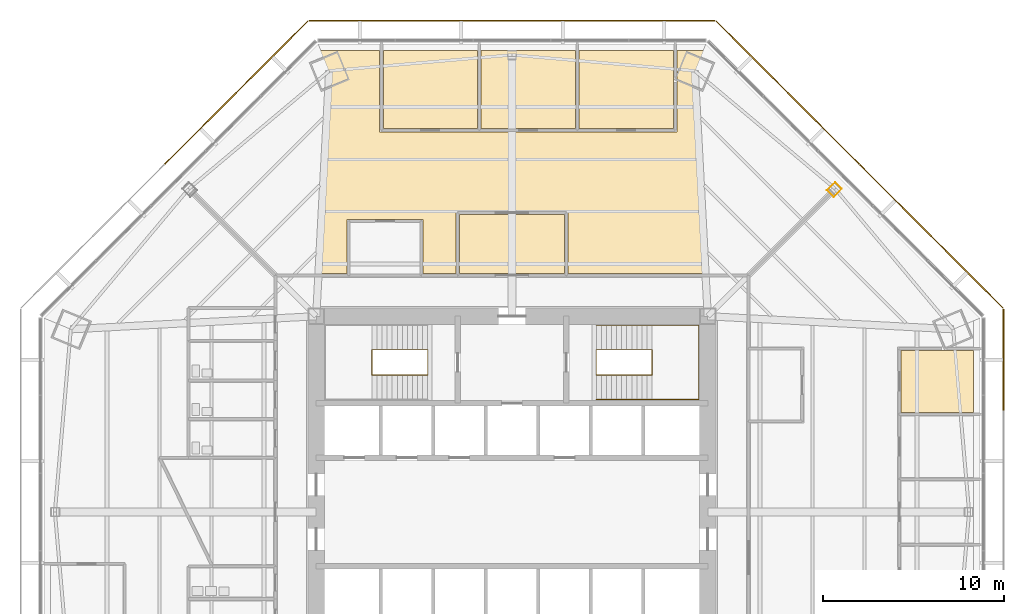
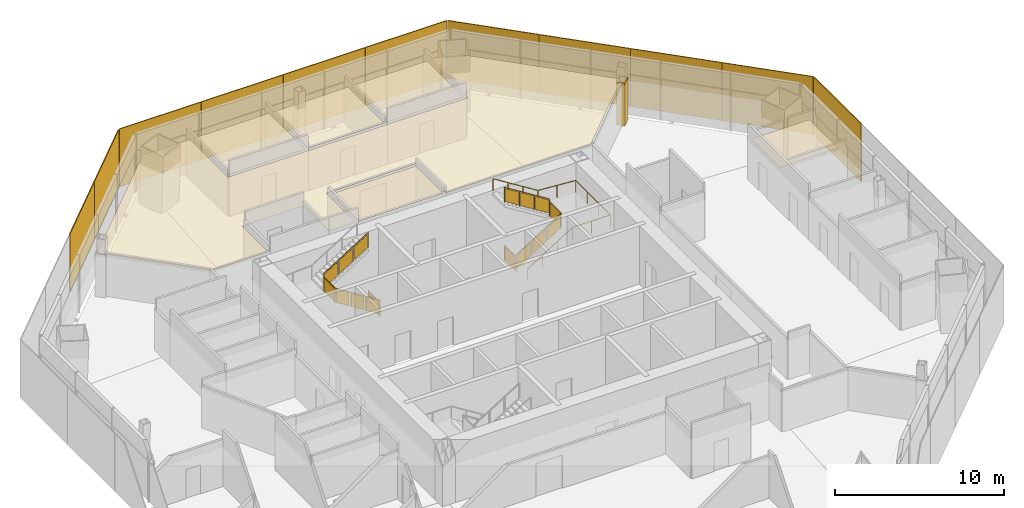
# One storey, part 14 of 15: 11 shading devices, 7 coverings, 3 railings.
"""IFC4 building model written with IfcOpenShell, lengths in metres."""

import ifcopenshell
import ifcopenshell.guid

model = None  # the IFC model being written
_history = None  # IfcOwnerHistory: only IFC2X3 demands one
_inside = {}  # id of a spatial element -> (the spatial element, [elements in it])
_under = {}  # id of a project, library or spatial element -> (it, [spatial elements below it])
_declared = {}  # id of a project -> (the project, [libraries it declares])
_typed = {}  # id of a type object -> (the type object, [elements of that type])
_made_of = {}  # id of a material, layer set ... -> (it, [elements and type objects made of it])


def new_model(schema):
    """Start an empty IFC model of exactly this schema.

    Asked for "IFC4X3", IfcOpenShell would pick the latest addendum, in which some entities
    have other attributes; the version numbers below select the first issue.
    IFC2X3 requires an IfcOwnerHistory on every rooted entity: one is made here for all.
    """
    global model, _history
    if schema == "IFC4X3":
        model = ifcopenshell.file(schema_version=(4, 3, 0, 0))
    else:
        model = ifcopenshell.file(schema=schema)
    _inside.clear()
    _under.clear()
    _declared.clear()
    _typed.clear()
    _made_of.clear()
    _history = None
    if model.schema == "IFC2X3":
        org = make("IfcOrganization", Name="unknown")
        user = make(
            "IfcPersonAndOrganization",
            ThePerson=make("IfcPerson", FamilyName="unknown"),
            TheOrganization=org,
        )
        app = make(
            "IfcApplication",
            ApplicationDeveloper=org,
            Version="unknown",
            ApplicationFullName="unknown",
            ApplicationIdentifier="unknown",
        )
        _history = make(
            "IfcOwnerHistory",
            OwningUser=user,
            OwningApplication=app,
            ChangeAction="ADDED",
            CreationDate=0,
        )
    return model


def make(cls, **values):
    """One entity of the class cls with the attributes given. An attribute that is None is left unset."""
    return model.create_entity(
        cls, **{name: value for name, value in values.items() if value is not None}
    )


def rooted(cls, **values):
    """An entity with a GlobalId (a new one), such as an element, a storey or a relation."""
    return make(cls, GlobalId=ifcopenshell.guid.new(), OwnerHistory=_history, **values)


def si_unit(unit_type, name, prefix=None):
    """IfcSIUnit, for example si_unit("LENGTHUNIT", "METRE", prefix="MILLI")."""
    return make("IfcSIUnit", UnitType=unit_type, Prefix=prefix, Name=name)


def assignment(units):
    """IfcUnitAssignment: the units of a project."""
    return None if units is None else make("IfcUnitAssignment", Units=units)


def point(xyz):
    """IfcCartesianPoint."""
    return None if xyz is None else make("IfcCartesianPoint", Coordinates=xyz)


def direction(xyz):
    """IfcDirection."""
    return None if xyz is None else make("IfcDirection", DirectionRatios=xyz)


def frame(location, z_axis=None, x_axis=None):
    """IfcAxis2Placement3D, a coordinate frame: its origin and axes. An axis left out is left unset."""
    return make(
        "IfcAxis2Placement3D",
        Location=point(location),
        Axis=direction(z_axis),
        RefDirection=direction(x_axis),
    )


def frame_2d(location, x_axis=None):
    """IfcAxis2Placement2D, a coordinate frame in the plane: its origin and x axis."""
    return make(
        "IfcAxis2Placement2D", Location=point(location), RefDirection=direction(x_axis)
    )


def origin():
    """The frame at (0, 0, 0) with its axes left unset."""
    return frame((0.0, 0.0, 0.0))


def origin_2d():
    """The frame at (0, 0) in the plane with its x axis left unset."""
    return frame_2d((0.0, 0.0))


def place(relative_to, where):
    """IfcLocalPlacement: puts the frame where relative to a parent placement (None: the world)."""
    return make(
        "IfcLocalPlacement", PlacementRelTo=relative_to, RelativePlacement=where
    )


def context(
    kind, dimensions, precision=None, world=None, true_north=None, identifier=None
):
    """IfcGeometricRepresentationContext, for example the 3D "Model" context."""
    return make(
        "IfcGeometricRepresentationContext",
        ContextIdentifier=identifier,
        ContextType=kind,
        CoordinateSpaceDimension=dimensions,
        Precision=precision,
        WorldCoordinateSystem=world,
        TrueNorth=true_north,
    )


def subcontext(parent, identifier, kind, view, scale=None):
    """IfcGeometricRepresentationSubContext, for example "Body" below "Model"."""
    return make(
        "IfcGeometricRepresentationSubContext",
        ContextIdentifier=identifier,
        ContextType=kind,
        ParentContext=parent,
        TargetScale=scale,
        TargetView=view,
    )


def project(units=None, contexts=None):
    """IfcProject with its units and contexts."""
    return rooted(
        "IfcProject",
        Name="project",
        RepresentationContexts=contexts,
        UnitsInContext=assignment(units),
    )


def spatial(cls, under=None, at=None, **own):
    """A site, building, storey or space (cls), placed at a placement, below another one or the project."""
    s = rooted(cls, ObjectPlacement=at, **own)
    if under is not None:
        _under.setdefault(under.id(), (under, []))[1].append(s)
    return s


def polyline(points):
    """IfcPolyline through the points."""
    return make("IfcPolyline", Points=[point(p) for p in points])


def profile(cls, at=None, kind="AREA", **sizes):
    """A parametric profile (cls). Its sizes go by their IFC names, for example OverallWidth=200.0."""
    return make(cls, ProfileType=kind, Position=at, **sizes)


def rectangle(**sizes):
    """IfcRectangleProfileDef."""
    return profile("IfcRectangleProfileDef", **sizes)


def circle(**sizes):
    """IfcCircleProfileDef."""
    return profile("IfcCircleProfileDef", **sizes)


def outline(outer, holes=None, kind="AREA"):
    """IfcArbitraryClosedProfileDef: a profile drawn as a closed curve; with holes, ...WithVoids."""
    if holes is None:
        return make("IfcArbitraryClosedProfileDef", ProfileType=kind, OuterCurve=outer)
    return make(
        "IfcArbitraryProfileDefWithVoids",
        ProfileType=kind,
        OuterCurve=outer,
        InnerCurves=holes,
    )


def extrude(swept, where, along, depth):
    """IfcExtrudedAreaSolid: the profile swept, set in the frame where, extruded along a direction by depth."""
    return make(
        "IfcExtrudedAreaSolid",
        SweptArea=swept,
        Position=where,
        ExtrudedDirection=direction(along),
        Depth=depth,
    )


def shape(context_of_items, identifier, shape_type, items):
    """IfcShapeRepresentation: the items that make up one representation, for example the "Body"."""
    return make(
        "IfcShapeRepresentation",
        ContextOfItems=context_of_items,
        RepresentationIdentifier=identifier,
        RepresentationType=shape_type,
        Items=items,
    )


def source(mapping_origin, context_of_items, identifier, shape_type, items):
    """IfcRepresentationMap: a shape defined once, which mapped items show again and again."""
    return make(
        "IfcRepresentationMap",
        MappingOrigin=mapping_origin,
        MappedRepresentation=shape(context_of_items, identifier, shape_type, items),
    )


def transform(
    local_origin,
    x_axis=None,
    y_axis=None,
    z_axis=None,
    scale=None,
    scale2=None,
    scale3=None,
    uniform=True,
):
    """IfcCartesianTransformationOperator3D, or its non-uniform kind. x_axis, y_axis, z_axis: its Axis1, 2, 3."""
    if uniform:
        return make(
            "IfcCartesianTransformationOperator3D",
            Axis1=direction(x_axis),
            Axis2=direction(y_axis),
            LocalOrigin=point(local_origin),
            Scale=scale,
            Axis3=direction(z_axis),
        )
    return make(
        "IfcCartesianTransformationOperator3DnonUniform",
        Axis1=direction(x_axis),
        Axis2=direction(y_axis),
        LocalOrigin=point(local_origin),
        Scale=scale,
        Axis3=direction(z_axis),
        Scale2=scale2,
        Scale3=scale3,
    )


def mapped(mapping_source, mapping_target):
    """IfcMappedItem: shows the shape of a source again, moved by a transform."""
    return make(
        "IfcMappedItem", MappingSource=mapping_source, MappingTarget=mapping_target
    )


def material(Name=None, Category=None):
    """IfcMaterial."""
    return make("IfcMaterial", Name=Name, Category=Category)


def layer(
    of_material, thickness, ventilated=None, Name=None, Category=None, Priority=None
):
    """IfcMaterialLayer: one layer of a wall or slab, of a material (None: an air gap)."""
    return make(
        "IfcMaterialLayer",
        Material=of_material,
        LayerThickness=thickness,
        IsVentilated=ventilated,
        Name=Name,
        Category=Category,
        Priority=Priority,
    )


def layer_set(layers, Name=None):
    """IfcMaterialLayerSet."""
    return make("IfcMaterialLayerSet", MaterialLayers=layers, LayerSetName=Name)


def made_of(thing, what):
    """Note that an element or type object is made of a material, layer set ...; save() writes the relation."""
    if what is not None:
        _made_of.setdefault(what.id(), (what, []))[1].append(thing)
    return thing


def type_object(cls, material=None, **own):
    """A type object (cls), such as IfcWallType, which elements share."""
    return made_of(rooted(cls, **own), material)


def type_shapes(of_type, sources):
    """Give a type object the sources (RepresentationMaps) that its elements show as mapped items."""
    of_type.RepresentationMaps = sources


def element(
    cls,
    number,
    at=None,
    inside=None,
    cuts=None,
    type_object=None,
    material=None,
    context=None,
    identifier="Body",
    shape_type=None,
    held_by="IfcProductDefinitionShape",
    body=None,
    shapes=None,
    **own,
):
    """One element of the class cls, such as IfcWall. Its Tag is "e" and its number.

    at: its placement. inside: the storey or other place that contains it. cuts: it is an
    opening in that element (IfcRelVoidsElement). A single representation is given by context,
    identifier, shape_type and body (its items); several are given by shapes. held_by: the class
    of the entity that holds the representations. save() writes the other relations.
    """
    e = rooted(cls, Tag="e%d" % number, ObjectPlacement=at, **own)
    if body is not None:
        shapes = [shape(context, identifier, shape_type, body)]
    if shapes is not None:
        e.Representation = make(held_by, Representations=shapes)
    if inside is not None:
        _inside.setdefault(inside.id(), (inside, []))[1].append(e)
    if cuts is not None:
        rooted(
            "IfcRelVoidsElement", RelatingBuildingElement=cuts, RelatedOpeningElement=e
        )
    if type_object is not None:
        _typed.setdefault(type_object.id(), (type_object, []))[1].append(e)
    return made_of(e, material)


def aggregate(whole, parts):
    """IfcRelAggregates: a whole, such as a stair, and the parts it consists of."""
    return rooted("IfcRelAggregates", RelatingObject=whole, RelatedObjects=parts)


def save(model, path):
    """Write the relations noted so far, then the file.

    IfcRelAggregates (storeys below a building ...), IfcRelContainedInSpatialStructure (elements
    in a storey), IfcRelDefinesByType, IfcRelAssociatesMaterial and IfcRelDeclares: one each for
    every whole, place, type object, material and project.
    """
    for whole, parts in _under.values():
        aggregate(whole, parts)
    for where, things in _inside.values():
        rooted(
            "IfcRelContainedInSpatialStructure",
            RelatedElements=things,
            RelatingStructure=where,
        )
    for kind, things in _typed.values():
        rooted("IfcRelDefinesByType", RelatedObjects=things, RelatingType=kind)
    for what, things in _made_of.values():
        rooted("IfcRelAssociatesMaterial", RelatedObjects=things, RelatingMaterial=what)
    for by, libraries in _declared.values():
        rooted("IfcRelDeclares", RelatingContext=by, RelatedDefinitions=libraries)
    model.write(path)


model = new_model("IFC4")

# Units and contexts
model_context = context("Model", 3, precision=1e-05, world=origin(), true_north=direction((0.0, 1.0)))
body_context = subcontext(model_context, "Body", "Model", "MODEL_VIEW")
ifc_project = project(units=[si_unit("LENGTHUNIT", "METRE"), si_unit("AREAUNIT", "SQUARE_METRE"), si_unit("VOLUMEUNIT", "CUBIC_METRE"), si_unit("PLANEANGLEUNIT", "RADIAN"), si_unit("MASSUNIT", "GRAM", prefix="KILO")], contexts=[model_context])

# Site, building, storey
site_placement = place(None, origin())
site = spatial("IfcSite", under=ifc_project, at=site_placement, CompositionType="ELEMENT")
building_placement = place(site_placement, origin())
building = spatial("IfcBuilding", under=site, at=building_placement, Name="Mashrafa Tower", CompositionType="ELEMENT")
storey_placement = place(building_placement, frame((0.0, 0.0, 70.800048828125)))
storey = spatial("IfcBuildingStorey", under=building, at=storey_placement, Name="L15", CompositionType="ELEMENT", Elevation=70.800048828125)

# Covering
ifc_material_1 = material(Name="Gypsum board")
ifc_layer_1 = layer(ifc_material_1, 0.014892578125)
ifc_layer_set_1 = layer_set([ifc_layer_1], Name="Column casing plasterboard 15")
covering_type_1 = type_object("IfcCoveringType", Name="Column casing plasterboard 15", PredefinedType="CLADDING", material=ifc_layer_set_1)
covering_1_placement = place(storey_placement, origin())
element("IfcCovering", 1, at=covering_1_placement, inside=storey, type_object=covering_type_1, Name="Column casing L15-001", PredefinedType="CLADDING", context=body_context, shape_type="SweptSolid", body=[
    extrude(outline(polyline([(17.36865234375, 17.743408203125), (17.82763671875, 18.202392578125), (18.202392578125, 17.82763671875), (17.743408203125, 17.36865234375), (17.36865234375, 17.743408203125)]), holes=[polyline([(18.18115234375, 17.82763671875), (17.82763671875, 18.18115234375), (17.389892578125, 17.743408203125), (17.743408203125, 17.389892578125), (18.18115234375, 17.82763671875)])]), origin(), (0.0, 0.0, 1.0), 3.113037109375),
])

# Railings
ifc_material_2 = material(Name="Steel guard with glass infill", Category="steel")
railing_type_1 = type_object("IfcRailingType", Name="Stair guard 1100", PredefinedType="GUARDRAIL", material=ifc_material_2)
railing_1_placement = place(storey_placement, frame((-4.64990234375, 8.949951171875, 0.0)))
element("IfcRailing", 2, at=railing_1_placement, inside=storey, type_object=railing_type_1, Name="Stair S1 guard L15", PredefinedType="GUARDRAIL", context=body_context, shape_type="SweptSolid", body=[
    extrude(circle(Radius=0.02392578125, at=origin_2d()), frame((0.0, 0.0, 1.076171875), z_axis=(0.0, -1.0, 0.0), x_axis=(1.0, 0.0, 0.0)), (0.0, 0.0, 1.0), 1.39990234375),
    extrude(circle(Radius=0.02392578125, at=origin_2d()), frame((0.0, -1.39990234375, 1.076171875), z_axis=(0.0, 0.0, 1.0), x_axis=(1.0, 0.0, 0.0)), (0.0, 0.0, 1.0), 0.175048828125),
    extrude(circle(Radius=0.02392578125, at=origin_2d()), frame((0.0, -1.39990234375, 1.2509765625), z_axis=(-0.848028513186, 0.0, 0.529950602248), x_axis=(0.0, -1.0, 0.0)), (0.0, 0.0, 1.0), 3.632080078125),
    extrude(circle(Radius=0.02392578125, at=origin_2d()), frame((-3.080078125, -1.39990234375, 3.17578125), z_axis=(0.0, 1.0, 0.0), x_axis=(-1.0, 0.0, 0.0)), (0.0, 0.0, 1.0), 1.39990234375),
    extrude(circle(Radius=0.02392578125, at=origin_2d()), frame((-3.080078125, 0.0, 3.17578125), z_axis=(0.0, 0.0, 1.0), x_axis=(1.0, 0.0, 0.0)), (0.0, 0.0, 1.0), 0.175048828125),
    extrude(circle(Radius=0.02392578125, at=origin_2d()), frame((-3.080078125, 0.0, 3.35107421875), z_axis=(0.847998304005, 0.0, 0.529998940003), x_axis=(0.0, 1.0, 0.0)), (0.0, 0.0, 1.0), 3.632080078125),
    extrude(circle(Radius=0.02099609375, at=origin_2d()), origin(), (0.0, 0.0, 1.0), 1.052001953125),
    extrude(circle(Radius=0.02099609375, at=origin_2d()), frame((0.0, -1.39990234375, 0.0)), (0.0, 0.0, 1.0), 1.052001953125),
    extrude(circle(Radius=0.02099609375, at=origin_2d()), frame((0.0, -1.39990234375, 0.175048828125)), (0.0, 0.0, 1.0), 1.052001953125),
    extrude(circle(Radius=0.02099609375, at=origin_2d()), frame((-1.026611328125, -1.39990234375, 0.816650390625)), (0.0, 0.0, 1.0), 1.052001953125),
    extrude(circle(Radius=0.02099609375, at=origin_2d()), frame((-2.053466796875, -1.39990234375, 1.458251953125)), (0.0, 0.0, 1.0), 1.052001953125),
    extrude(circle(Radius=0.02099609375, at=origin_2d()), frame((-3.080078125, -1.39990234375, 2.099853515625)), (0.0, 0.0, 1.0), 1.052001953125),
    extrude(circle(Radius=0.02099609375, at=origin_2d()), frame((-3.080078125, 0.0, 2.099853515625)), (0.0, 0.0, 1.0), 1.052001953125),
    extrude(circle(Radius=0.02099609375, at=origin_2d()), frame((-3.080078125, 0.0, 2.27490234375)), (0.0, 0.0, 1.0), 1.052001953125),
    extrude(circle(Radius=0.02099609375, at=origin_2d()), frame((-2.053466796875, 0.0, 2.91650390625)), (0.0, 0.0, 1.0), 1.052001953125),
    extrude(circle(Radius=0.02099609375, at=origin_2d()), frame((-1.026611328125, 0.0, 3.558349609375)), (0.0, 0.0, 1.0), 1.052001953125),
    extrude(circle(Radius=0.02099609375, at=origin_2d()), frame((0.0, 0.0, 4.199951171875)), (0.0, 0.0, 1.0), 1.052001953125),
    extrude(outline(polyline([(0.071044921875, 0.050048828125), (1.328857421875, 0.050048828125), (1.328857421875, 1.001953125), (0.071044921875, 1.001953125), (0.071044921875, 0.050048828125)])), frame((-0.006103515625, 0.0, 0.0), z_axis=(-1.0, 0.0, 0.0), x_axis=(0.0, -1.0, 0.0)), (0.0, 0.0, 1.0), 0.011962890625),
    extrude(outline(polyline([(0.071044921875, 0.094482421875), (0.955810546875, 0.647216796875), (0.955810546875, 1.59912109375), (0.071044921875, 1.04638671875), (0.071044921875, 0.094482421875)])), frame((0.0, -1.393798828125, 0.175048828125), z_axis=(0.0, 1.0, 0.0), x_axis=(-1.0, 0.0, 0.0)), (0.0, 0.0, 1.0), 0.011962890625),
    extrude(outline(polyline([(1.09765625, 0.736083984375), (1.982421875, 1.288818359375), (1.982421875, 2.24072265625), (1.09765625, 1.68798828125), (1.09765625, 0.736083984375)])), frame((0.0, -1.393798828125, 0.175048828125), z_axis=(0.0, 1.0, 0.0), x_axis=(-1.0, 0.0, 0.0)), (0.0, 0.0, 1.0), 0.011962890625),
    extrude(outline(polyline([(2.124267578125, 1.377685546875), (3.009033203125, 1.930419921875), (3.009033203125, 2.88232421875), (2.124267578125, 2.32958984375), (2.124267578125, 1.377685546875)])), frame((0.0, -1.393798828125, 0.175048828125), z_axis=(0.0, 1.0, 0.0), x_axis=(-1.0, 0.0, 0.0)), (0.0, 0.0, 1.0), 0.011962890625),
    extrude(outline(polyline([(0.071044921875, 0.050048828125), (1.328857421875, 0.050048828125), (1.328857421875, 1.001953125), (0.071044921875, 1.001953125), (0.071044921875, 0.050048828125)])), frame((-3.073974609375, -1.39990234375, 2.099853515625), z_axis=(1.0, 0.0, 0.0), x_axis=(0.0, 1.0, 0.0)), (0.0, 0.0, 1.0), 0.011962890625),
    extrude(outline(polyline([(0.071044921875, 0.094482421875), (0.955810546875, 0.647216796875), (0.955810546875, 1.599365234375), (0.071044921875, 1.04638671875), (0.071044921875, 0.094482421875)])), frame((-3.080078125, -0.006103515625, 2.27490234375), z_axis=(0.0, -1.0, 0.0), x_axis=(1.0, 0.0, 0.0)), (0.0, 0.0, 1.0), 0.011962890625),
    extrude(outline(polyline([(1.09765625, 0.736083984375), (1.982421875, 1.2890625), (1.982421875, 2.240966796875), (1.09765625, 1.68798828125), (1.09765625, 0.736083984375)])), frame((-3.080078125, -0.006103515625, 2.27490234375), z_axis=(0.0, -1.0, 0.0), x_axis=(1.0, 0.0, 0.0)), (0.0, 0.0, 1.0), 0.011962890625),
    extrude(outline(polyline([(2.124267578125, 1.377685546875), (3.009033203125, 1.9306640625), (3.009033203125, 2.882568359375), (2.124267578125, 2.329833984375), (2.124267578125, 1.377685546875)])), frame((-3.080078125, -0.006103515625, 2.27490234375), z_axis=(0.0, -1.0, 0.0), x_axis=(1.0, 0.0, 0.0)), (0.0, 0.0, 1.0), 0.011962890625),
])
railing_2_placement = place(storey_placement, frame((4.64990234375, 8.949951171875, 0.0)))
element("IfcRailing", 3, at=railing_2_placement, inside=storey, type_object=railing_type_1, Name="Stair S2 guard L15", PredefinedType="GUARDRAIL", context=body_context, shape_type="SweptSolid", body=[
    extrude(circle(Radius=0.02392578125, at=origin_2d()), frame((0.0, 0.0, 1.076171875), z_axis=(0.0, -1.0, 0.0), x_axis=(1.0, 0.0, 0.0)), (0.0, 0.0, 1.0), 1.39990234375),
    extrude(circle(Radius=0.02392578125, at=origin_2d()), frame((0.0, -1.39990234375, 1.076171875), z_axis=(0.0, 0.0, 1.0), x_axis=(1.0, 0.0, 0.0)), (0.0, 0.0, 1.0), 0.175048828125),
    extrude(circle(Radius=0.02392578125, at=origin_2d()), frame((0.0, -1.39990234375, 1.2509765625), z_axis=(0.848028513186, 0.0, 0.529950602248), x_axis=(0.0, 1.0, 0.0)), (0.0, 0.0, 1.0), 3.632080078125),
    extrude(circle(Radius=0.02392578125, at=origin_2d()), frame((3.080078125, -1.39990234375, 3.17578125), z_axis=(0.0, 1.0, 0.0), x_axis=(-1.0, 0.0, 0.0)), (0.0, 0.0, 1.0), 1.39990234375),
    extrude(circle(Radius=0.02392578125, at=origin_2d()), frame((3.080078125, 0.0, 3.17578125), z_axis=(0.0, 0.0, 1.0), x_axis=(1.0, 0.0, 0.0)), (0.0, 0.0, 1.0), 0.175048828125),
    extrude(circle(Radius=0.02392578125, at=origin_2d()), frame((3.080078125, 0.0, 3.35107421875), z_axis=(-0.847998304005, 0.0, 0.529998940003), x_axis=(0.0, -1.0, 0.0)), (0.0, 0.0, 1.0), 3.632080078125),
    extrude(circle(Radius=0.02099609375, at=origin_2d()), origin(), (0.0, 0.0, 1.0), 1.052001953125),
    extrude(circle(Radius=0.02099609375, at=origin_2d()), frame((0.0, -1.39990234375, 0.0)), (0.0, 0.0, 1.0), 1.052001953125),
    extrude(circle(Radius=0.02099609375, at=origin_2d()), frame((0.0, -1.39990234375, 0.175048828125)), (0.0, 0.0, 1.0), 1.052001953125),
    extrude(circle(Radius=0.02099609375, at=origin_2d()), frame((1.026611328125, -1.39990234375, 0.816650390625)), (0.0, 0.0, 1.0), 1.052001953125),
    extrude(circle(Radius=0.02099609375, at=origin_2d()), frame((2.053466796875, -1.39990234375, 1.458251953125)), (0.0, 0.0, 1.0), 1.052001953125),
    extrude(circle(Radius=0.02099609375, at=origin_2d()), frame((3.080078125, -1.39990234375, 2.099853515625)), (0.0, 0.0, 1.0), 1.052001953125),
    extrude(circle(Radius=0.02099609375, at=origin_2d()), frame((3.080078125, 0.0, 2.099853515625)), (0.0, 0.0, 1.0), 1.052001953125),
    extrude(circle(Radius=0.02099609375, at=origin_2d()), frame((3.080078125, 0.0, 2.27490234375)), (0.0, 0.0, 1.0), 1.052001953125),
    extrude(circle(Radius=0.02099609375, at=origin_2d()), frame((2.053466796875, 0.0, 2.91650390625)), (0.0, 0.0, 1.0), 1.052001953125),
    extrude(circle(Radius=0.02099609375, at=origin_2d()), frame((1.026611328125, 0.0, 3.558349609375)), (0.0, 0.0, 1.0), 1.052001953125),
    extrude(circle(Radius=0.02099609375, at=origin_2d()), frame((0.0, 0.0, 4.199951171875)), (0.0, 0.0, 1.0), 1.052001953125),
    extrude(outline(polyline([(0.071044921875, 0.050048828125), (1.328857421875, 0.050048828125), (1.328857421875, 1.001953125), (0.071044921875, 1.001953125), (0.071044921875, 0.050048828125)])), frame((-0.006103515625, 0.0, 0.0), z_axis=(-1.0, 0.0, 0.0), x_axis=(0.0, -1.0, 0.0)), (0.0, 0.0, 1.0), 0.011962890625),
    extrude(outline(polyline([(0.071044921875, 0.094482421875), (0.955810546875, 0.647216796875), (0.955810546875, 1.59912109375), (0.071044921875, 1.04638671875), (0.071044921875, 0.094482421875)])), frame((0.0, -1.406005859375, 0.175048828125), z_axis=(0.0, -1.0, 0.0), x_axis=(1.0, 0.0, 0.0)), (0.0, 0.0, 1.0), 0.011962890625),
    extrude(outline(polyline([(1.09765625, 0.736083984375), (1.982421875, 1.288818359375), (1.982421875, 2.24072265625), (1.09765625, 1.68798828125), (1.09765625, 0.736083984375)])), frame((0.0, -1.406005859375, 0.175048828125), z_axis=(0.0, -1.0, 0.0), x_axis=(1.0, 0.0, 0.0)), (0.0, 0.0, 1.0), 0.011962890625),
    extrude(outline(polyline([(2.124267578125, 1.377685546875), (3.009033203125, 1.930419921875), (3.009033203125, 2.88232421875), (2.124267578125, 2.32958984375), (2.124267578125, 1.377685546875)])), frame((0.0, -1.406005859375, 0.175048828125), z_axis=(0.0, -1.0, 0.0), x_axis=(1.0, 0.0, 0.0)), (0.0, 0.0, 1.0), 0.011962890625),
    extrude(outline(polyline([(0.071044921875, 0.050048828125), (1.328857421875, 0.050048828125), (1.328857421875, 1.001953125), (0.071044921875, 1.001953125), (0.071044921875, 0.050048828125)])), frame((3.086181640625, -1.39990234375, 2.099853515625), z_axis=(1.0, 0.0, 0.0), x_axis=(0.0, 1.0, 0.0)), (0.0, 0.0, 1.0), 0.011962890625),
    extrude(outline(polyline([(0.071044921875, 0.094482421875), (0.955810546875, 0.647216796875), (0.955810546875, 1.599365234375), (0.071044921875, 1.04638671875), (0.071044921875, 0.094482421875)])), frame((3.080078125, 0.006103515625, 2.27490234375), z_axis=(0.0, 1.0, 0.0), x_axis=(-1.0, 0.0, 0.0)), (0.0, 0.0, 1.0), 0.011962890625),
    extrude(outline(polyline([(1.09765625, 0.736083984375), (1.982421875, 1.2890625), (1.982421875, 2.240966796875), (1.09765625, 1.68798828125), (1.09765625, 0.736083984375)])), frame((3.080078125, 0.006103515625, 2.27490234375), z_axis=(0.0, 1.0, 0.0), x_axis=(-1.0, 0.0, 0.0)), (0.0, 0.0, 1.0), 0.011962890625),
    extrude(outline(polyline([(2.124267578125, 1.377685546875), (3.009033203125, 1.9306640625), (3.009033203125, 2.882568359375), (2.124267578125, 2.329833984375), (2.124267578125, 1.377685546875)])), frame((3.080078125, 0.006103515625, 2.27490234375), z_axis=(0.0, 1.0, 0.0), x_axis=(-1.0, 0.0, 0.0)), (0.0, 0.0, 1.0), 0.011962890625),
])
ifc_material_3 = material(Name="Steel", Category="steel")
railing_type_2 = type_object("IfcRailingType", Name="Stair handrail 900", PredefinedType="HANDRAIL", material=ifc_material_3)
railing_3_placement = place(storey_placement, frame((4.64990234375, 6.199951171875, 0.175048828125)))
element("IfcRailing", 4, at=railing_3_placement, inside=storey, type_object=railing_type_2, Name="Stair S2 handrail L15", PredefinedType="HANDRAIL", context=body_context, shape_type="SweptSolid", body=[
    extrude(circle(Radius=0.02392578125, at=origin_2d()), frame((0.0, 0.0, 0.8759765625), z_axis=(0.848028513186, 0.0, 0.529950602248), x_axis=(0.0, 1.0, 0.0)), (0.0, 0.0, 1.0), 3.632080078125),
    extrude(circle(Radius=0.02392578125, at=origin_2d()), frame((3.080078125, 0.0, 2.80078125), z_axis=(1.0, 0.0, 0.0), x_axis=(0.0, 1.0, 0.0)), (0.0, 0.0, 1.0), 2.570068359375),
    extrude(circle(Radius=0.02392578125, at=origin_2d()), frame((5.650146484375, 0.0, 2.80078125), z_axis=(0.0, 1.0, 0.0), x_axis=(-1.0, 0.0, 0.0)), (0.0, 0.0, 1.0), 4.10009765625),
    extrude(circle(Radius=0.02392578125, at=origin_2d()), frame((5.650146484375, 4.10009765625, 2.80078125), z_axis=(-0.997688514158, 0.0, 0.067953136188), x_axis=(0.0, -1.0, 0.0)), (0.0, 0.0, 1.0), 2.575927734375),
    extrude(circle(Radius=0.02392578125, at=origin_2d()), frame((3.080078125, 4.10009765625, 2.9755859375), z_axis=(-0.847998304005, 0.0, 0.529998940003), x_axis=(0.0, -1.0, 0.0)), (0.0, 0.0, 1.0), 3.632080078125),
    extrude(circle(Radius=0.02099609375, at=origin_2d()), origin(), (0.0, 0.0, 1.0), 0.851806640625),
    extrude(circle(Radius=0.02099609375, at=origin_2d()), frame((1.026611328125, 0.0, 0.6416015625)), (0.0, 0.0, 1.0), 0.851806640625),
    extrude(circle(Radius=0.02099609375, at=origin_2d()), frame((2.053466796875, 0.0, 1.283203125)), (0.0, 0.0, 1.0), 0.851806640625),
    extrude(circle(Radius=0.02099609375, at=origin_2d()), frame((3.080078125, 0.0, 1.9248046875)), (0.0, 0.0, 1.0), 0.851806640625),
    extrude(circle(Radius=0.02099609375, at=origin_2d()), frame((4.365234375, 0.0, 1.9248046875)), (0.0, 0.0, 1.0), 0.851806640625),
    extrude(circle(Radius=0.02099609375, at=origin_2d()), frame((5.650146484375, 0.0, 1.9248046875)), (0.0, 0.0, 1.0), 0.851806640625),
    extrude(circle(Radius=0.02099609375, at=origin_2d()), frame((5.650146484375, 1.36669921875, 1.9248046875)), (0.0, 0.0, 1.0), 0.851806640625),
    extrude(circle(Radius=0.02099609375, at=origin_2d()), frame((5.650146484375, 2.7333984375, 1.9248046875)), (0.0, 0.0, 1.0), 0.851806640625),
    extrude(circle(Radius=0.02099609375, at=origin_2d()), frame((5.650146484375, 4.10009765625, 1.9248046875)), (0.0, 0.0, 1.0), 0.851806640625),
    extrude(circle(Radius=0.02099609375, at=origin_2d()), frame((4.365234375, 4.10009765625, 2.01220703125)), (0.0, 0.0, 1.0), 0.851806640625),
    extrude(circle(Radius=0.02099609375, at=origin_2d()), frame((3.080078125, 4.10009765625, 2.099853515625)), (0.0, 0.0, 1.0), 0.851806640625),
    extrude(circle(Radius=0.02099609375, at=origin_2d()), frame((2.053466796875, 4.10009765625, 2.741455078125)), (0.0, 0.0, 1.0), 0.851806640625),
    extrude(circle(Radius=0.02099609375, at=origin_2d()), frame((1.026611328125, 4.10009765625, 3.38330078125)), (0.0, 0.0, 1.0), 0.851806640625),
    extrude(circle(Radius=0.02099609375, at=origin_2d()), frame((0.0, 4.10009765625, 4.02490234375)), (0.0, 0.0, 1.0), 0.851806640625),
])

# Coverings
ifc_material_4 = material(Name="Mineral fibre tile on suspension grid")
ifc_layer_2 = layer(ifc_material_4, 0.014892578125)
ifc_layer_set_2 = layer_set([ifc_layer_2], Name="Suspended ceiling mineral tile 15")
covering_type_2 = type_object("IfcCoveringType", Name="Suspended ceiling mineral tile 15", PredefinedType="CEILING", material=ifc_layer_set_2)
covering_2_placement = place(storey_placement, frame((0.0, 0.0, 2.89990234375)))
element("IfcCovering", 5, at=covering_2_placement, inside=storey, type_object=covering_type_2, Name="Ceiling Reception 15-N", PredefinedType="CEILING", context=body_context, shape_type="SweptSolid", body=[
    extrude(outline(polyline([(-2.89990234375, 16.39990234375), (2.89990234375, 16.39990234375), (2.89990234375, 13.14990234375), (-2.89990234375, 13.14990234375), (-2.89990234375, 16.39990234375)])), origin(), (0.0, 0.0, 1.0), 0.01513671875),
])
covering_3_placement = place(storey_placement, frame((0.0, 0.0, 2.89990234375)))
element("IfcCovering", 6, at=covering_3_placement, inside=storey, type_object=covering_type_2, Name="Ceiling Meeting Room 15-N-1", PredefinedType="CEILING", context=body_context, shape_type="SweptSolid", body=[
    extrude(outline(polyline([(3.699951171875, 25.4619140625), (8.89990234375, 25.4619140625), (8.89990234375, 21.161865234375), (3.699951171875, 21.161865234375), (3.699951171875, 25.4619140625)])), origin(), (0.0, 0.0, 1.0), 0.01513671875),
])
covering_4_placement = place(storey_placement, frame((0.0, 0.0, 2.89990234375)))
element("IfcCovering", 7, at=covering_4_placement, inside=storey, type_object=covering_type_2, Name="Ceiling Meeting Room 15-N-2", PredefinedType="CEILING", context=body_context, shape_type="SweptSolid", body=[
    extrude(outline(polyline([(-1.699951171875, 25.4619140625), (3.5, 25.4619140625), (3.5, 21.161865234375), (-1.699951171875, 21.161865234375), (-1.699951171875, 25.4619140625)])), origin(), (0.0, 0.0, 1.0), 0.01513671875),
])
covering_5_placement = place(storey_placement, frame((0.0, 0.0, 2.89990234375)))
element("IfcCovering", 8, at=covering_5_placement, inside=storey, type_object=covering_type_2, Name="Ceiling Meeting Room 15-N-3", PredefinedType="CEILING", context=body_context, shape_type="SweptSolid", body=[
    extrude(outline(polyline([(-7.10009765625, 25.4619140625), (-1.89990234375, 25.4619140625), (-1.89990234375, 21.161865234375), (-7.10009765625, 21.161865234375), (-7.10009765625, 25.4619140625)])), origin(), (0.0, 0.0, 1.0), 0.01513671875),
])
covering_6_placement = place(storey_placement, frame((0.0, 0.0, 2.89990234375)))
element("IfcCovering", 9, at=covering_6_placement, inside=storey, type_object=covering_type_2, Name="Ceiling Office 15-E-5", PredefinedType="CEILING", context=body_context, shape_type="SweptSolid", body=[
    extrude(outline(polyline([(21.4619140625, 8.89990234375), (25.4619140625, 8.89990234375), (25.4619140625, 5.5), (21.4619140625, 5.5), (21.4619140625, 8.89990234375)])), origin(), (0.0, 0.0, 1.0), 0.01513671875),
])
covering_7_placement = place(storey_placement, frame((0.0, 0.0, 2.89990234375)))
element("IfcCovering", 10, at=covering_7_placement, inside=storey, type_object=covering_type_2, Name="Ceiling Office Tenancy 15-N", PredefinedType="CEILING", context=body_context, shape_type="SweptSolid", body=[
    extrude(outline(polyline([(-13.008544921875, 13.14990234375), (-17.93359375, 18.074951171875), (-10.546630859375, 25.4619140625), (-7.300048828125, 25.4619140625), (-7.300048828125, 20.9619140625), (9.10009765625, 20.9619140625), (9.10009765625, 25.4619140625), (10.546630859375, 25.4619140625), (17.93359375, 18.074951171875), (13.008544921875, 13.14990234375), (3.10009765625, 13.14990234375), (3.10009765625, 16.60009765625), (-3.10009765625, 16.60009765625), (-3.10009765625, 13.14990234375), (-4.89990234375, 13.14990234375), (-4.89990234375, 16.14990234375), (-9.10009765625, 16.14990234375), (-9.10009765625, 13.14990234375), (-13.008544921875, 13.14990234375)])), origin(), (0.0, 0.0, 1.0), 0.01513671875),
])

# Shading devices
ifc_material_5 = material(Name="Perforated aluminium plate, eight-point star pattern", Category="aluminium")
ifc_layer_3 = layer(ifc_material_5, 0.06005859375)
ifc_layer_set_3 = layer_set([ifc_layer_3], Name="Mashrabiya screen panel office zone 1, 45 percent open")
shading_device_type = type_object("IfcShadingDeviceType", Name="Mashrabiya screen panel office zone 1, 45 percent open", PredefinedType="SHUTTER", material=ifc_layer_set_3)
shared_shape = source(origin(), body_context, "Body", "SweptSolid", [
    extrude(rectangle(XDim=5.583740234375, YDim=0.06005859375, at=origin_2d()), origin(), (0.0, 0.0, 1.0), 4.179931640625),
])
type_shapes(shading_device_type, [shared_shape])
for number, where, z_axis, x_axis, name in (
    (11, (27.11181640625, 8.40576171875, -0.14990234375), (0.0, 0.0, 1.0), (0.0, 1.0, 0.0), "Mashrabiya screen L15 east 4"),
    (12, (25.11474609375, 13.227294921875, -0.14990234375), (0.0, 0.0, 1.0), (-0.707106781187, 0.707106781187, 0.0), "Mashrabiya screen L15 north-east 1"),
    (13, (21.15234375, 17.189697265625, -0.14990234375), (0.0, 0.0, 1.0), (-0.707106781187, 0.707106781187, 0.0), "Mashrabiya screen L15 north-east 2"),
    (14, (17.189697265625, 21.15234375, -0.14990234375), (0.0, 0.0, 1.0), (-0.707106781187, 0.707106781187, 0.0), "Mashrabiya screen L15 north-east 3"),
    (15, (13.227294921875, 25.11474609375, -0.14990234375), (0.0, 0.0, 1.0), (-0.707106781187, 0.707106781187, 0.0), "Mashrabiya screen L15 north-east 4"),
    (16, (8.40576171875, 27.11181640625, -0.14990234375), (0.0, 0.0, 1.0), (-1.0, 0.0, 0.0), "Mashrabiya screen L15 north 1"),
    (17, (2.802001953125, 27.11181640625, -0.14990234375), (0.0, 0.0, 1.0), (-1.0, 0.0, 0.0), "Mashrabiya screen L15 north 2"),
    (18, (-2.802001953125, 27.11181640625, -0.14990234375), (0.0, 0.0, 1.0), (-1.0, 0.0, 0.0), "Mashrabiya screen L15 north 3"),
    (19, (-8.40576171875, 27.11181640625, -0.14990234375), (0.0, 0.0, 1.0), (-1.0, 0.0, 0.0), "Mashrabiya screen L15 north 4"),
    (20, (-13.227294921875, 25.11474609375, -0.14990234375), (0.0, 0.0, 1.0), (-0.707106781187, -0.707106781187, 0.0), "Mashrabiya screen L15 north-west 1"),
    (21, (-17.189697265625, 21.15234375, -0.14990234375), (0.0, 0.0, 1.0), (-0.707106781187, -0.707106781187, 0.0), "Mashrabiya screen L15 north-west 2"),
):
    element("IfcShadingDevice", number, at=place(storey_placement, frame(where, z_axis=z_axis, x_axis=x_axis)), inside=storey, type_object=shading_device_type, Name=name, PredefinedType="SHUTTER", context=body_context, shape_type="MappedRepresentation", body=[
        mapped(shared_shape, transform((0.0, 0.0, 0.0))),
    ])

save(model, "model.ifc")
